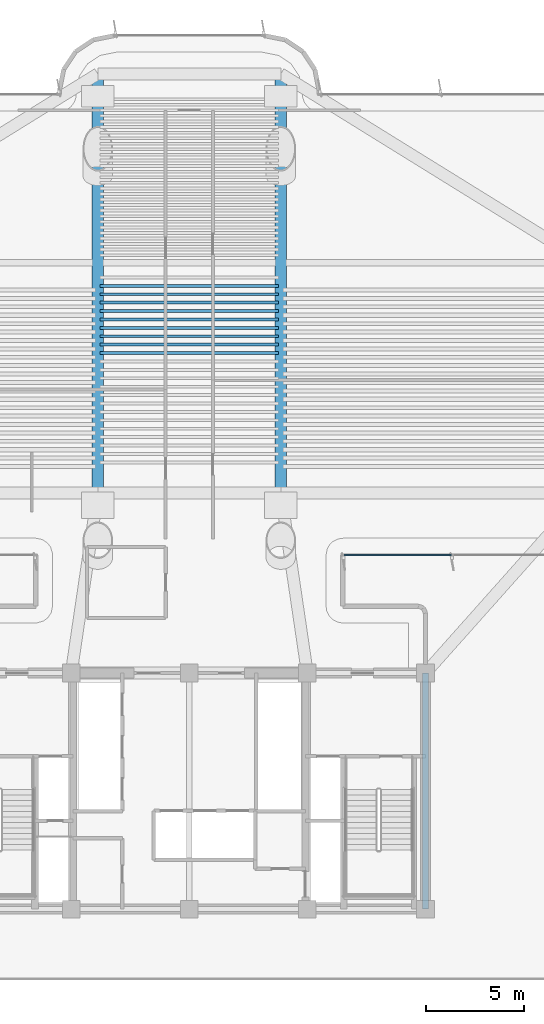
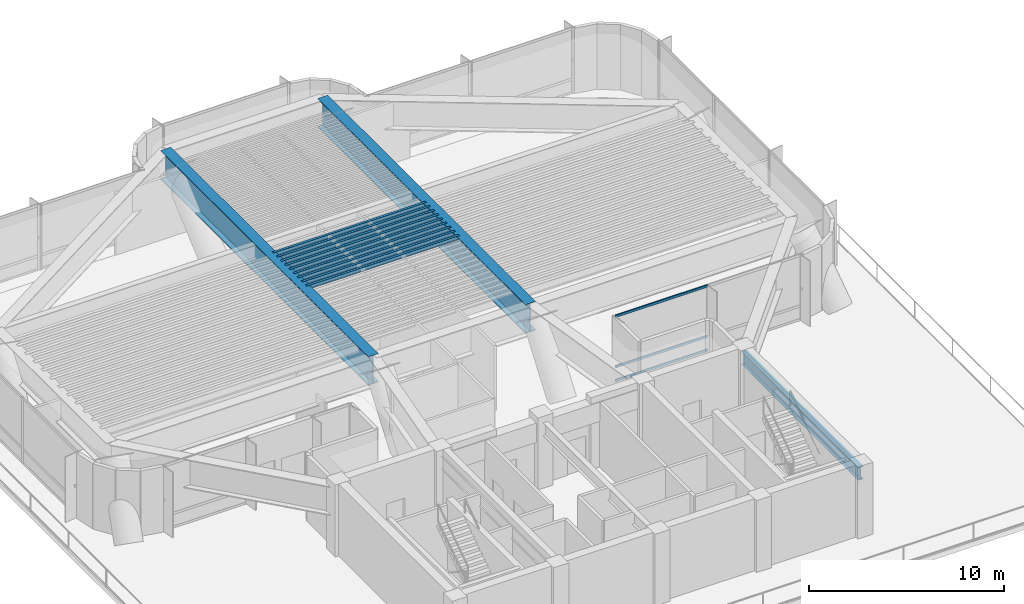
# One storey, part 3 of 14: 12 beams, 3 members, 1 element without a shape of its own.
"""IFC4 building model written with IfcOpenShell, lengths in metres."""

import ifcopenshell
import ifcopenshell.guid

model = None  # the IFC model being written
_history = None  # IfcOwnerHistory: only IFC2X3 demands one
_inside = {}  # id of a spatial element -> (the spatial element, [elements in it])
_under = {}  # id of a project, library or spatial element -> (it, [spatial elements below it])
_declared = {}  # id of a project -> (the project, [libraries it declares])
_typed = {}  # id of a type object -> (the type object, [elements of that type])
_made_of = {}  # id of a material, layer set ... -> (it, [elements and type objects made of it])


def new_model(schema):
    """Start an empty IFC model of exactly this schema.

    Asked for "IFC4X3", IfcOpenShell would pick the latest addendum, in which some entities
    have other attributes; the version numbers below select the first issue.
    IFC2X3 requires an IfcOwnerHistory on every rooted entity: one is made here for all.
    """
    global model, _history
    if schema == "IFC4X3":
        model = ifcopenshell.file(schema_version=(4, 3, 0, 0))
    else:
        model = ifcopenshell.file(schema=schema)
    _inside.clear()
    _under.clear()
    _declared.clear()
    _typed.clear()
    _made_of.clear()
    _history = None
    if model.schema == "IFC2X3":
        org = make("IfcOrganization", Name="unknown")
        user = make(
            "IfcPersonAndOrganization",
            ThePerson=make("IfcPerson", FamilyName="unknown"),
            TheOrganization=org,
        )
        app = make(
            "IfcApplication",
            ApplicationDeveloper=org,
            Version="unknown",
            ApplicationFullName="unknown",
            ApplicationIdentifier="unknown",
        )
        _history = make(
            "IfcOwnerHistory",
            OwningUser=user,
            OwningApplication=app,
            ChangeAction="ADDED",
            CreationDate=0,
        )
    return model


def make(cls, **values):
    """One entity of the class cls with the attributes given. An attribute that is None is left unset."""
    return model.create_entity(
        cls, **{name: value for name, value in values.items() if value is not None}
    )


def rooted(cls, **values):
    """An entity with a GlobalId (a new one), such as an element, a storey or a relation."""
    return make(cls, GlobalId=ifcopenshell.guid.new(), OwnerHistory=_history, **values)


def si_unit(unit_type, name, prefix=None):
    """IfcSIUnit, for example si_unit("LENGTHUNIT", "METRE", prefix="MILLI")."""
    return make("IfcSIUnit", UnitType=unit_type, Prefix=prefix, Name=name)


def assignment(units):
    """IfcUnitAssignment: the units of a project."""
    return None if units is None else make("IfcUnitAssignment", Units=units)


def point(xyz):
    """IfcCartesianPoint."""
    return None if xyz is None else make("IfcCartesianPoint", Coordinates=xyz)


def direction(xyz):
    """IfcDirection."""
    return None if xyz is None else make("IfcDirection", DirectionRatios=xyz)


def frame(location, z_axis=None, x_axis=None):
    """IfcAxis2Placement3D, a coordinate frame: its origin and axes. An axis left out is left unset."""
    return make(
        "IfcAxis2Placement3D",
        Location=point(location),
        Axis=direction(z_axis),
        RefDirection=direction(x_axis),
    )


def frame_2d(location, x_axis=None):
    """IfcAxis2Placement2D, a coordinate frame in the plane: its origin and x axis."""
    return make(
        "IfcAxis2Placement2D", Location=point(location), RefDirection=direction(x_axis)
    )


def origin():
    """The frame at (0, 0, 0) with its axes left unset."""
    return frame((0.0, 0.0, 0.0))


def origin_2d():
    """The frame at (0, 0) in the plane with its x axis left unset."""
    return frame_2d((0.0, 0.0))


def place(relative_to, where):
    """IfcLocalPlacement: puts the frame where relative to a parent placement (None: the world)."""
    return make(
        "IfcLocalPlacement", PlacementRelTo=relative_to, RelativePlacement=where
    )


def context(
    kind, dimensions, precision=None, world=None, true_north=None, identifier=None
):
    """IfcGeometricRepresentationContext, for example the 3D "Model" context."""
    return make(
        "IfcGeometricRepresentationContext",
        ContextIdentifier=identifier,
        ContextType=kind,
        CoordinateSpaceDimension=dimensions,
        Precision=precision,
        WorldCoordinateSystem=world,
        TrueNorth=true_north,
    )


def subcontext(parent, identifier, kind, view, scale=None):
    """IfcGeometricRepresentationSubContext, for example "Body" below "Model"."""
    return make(
        "IfcGeometricRepresentationSubContext",
        ContextIdentifier=identifier,
        ContextType=kind,
        ParentContext=parent,
        TargetScale=scale,
        TargetView=view,
    )


def project(units=None, contexts=None):
    """IfcProject with its units and contexts."""
    return rooted(
        "IfcProject",
        Name="project",
        RepresentationContexts=contexts,
        UnitsInContext=assignment(units),
    )


def spatial(cls, under=None, at=None, **own):
    """A site, building, storey or space (cls), placed at a placement, below another one or the project."""
    s = rooted(cls, ObjectPlacement=at, **own)
    if under is not None:
        _under.setdefault(under.id(), (under, []))[1].append(s)
    return s


def profile(cls, at=None, kind="AREA", **sizes):
    """A parametric profile (cls). Its sizes go by their IFC names, for example OverallWidth=200.0."""
    return make(cls, ProfileType=kind, Position=at, **sizes)


def rectangle(**sizes):
    """IfcRectangleProfileDef."""
    return profile("IfcRectangleProfileDef", **sizes)


def i_section(**sizes):
    """IfcIShapeProfileDef."""
    return profile("IfcIShapeProfileDef", **sizes)


def extrude(swept, where, along, depth):
    """IfcExtrudedAreaSolid: the profile swept, set in the frame where, extruded along a direction by depth."""
    return make(
        "IfcExtrudedAreaSolid",
        SweptArea=swept,
        Position=where,
        ExtrudedDirection=direction(along),
        Depth=depth,
    )


def shape(context_of_items, identifier, shape_type, items):
    """IfcShapeRepresentation: the items that make up one representation, for example the "Body"."""
    return make(
        "IfcShapeRepresentation",
        ContextOfItems=context_of_items,
        RepresentationIdentifier=identifier,
        RepresentationType=shape_type,
        Items=items,
    )


def source(mapping_origin, context_of_items, identifier, shape_type, items):
    """IfcRepresentationMap: a shape defined once, which mapped items show again and again."""
    return make(
        "IfcRepresentationMap",
        MappingOrigin=mapping_origin,
        MappedRepresentation=shape(context_of_items, identifier, shape_type, items),
    )


def transform(
    local_origin,
    x_axis=None,
    y_axis=None,
    z_axis=None,
    scale=None,
    scale2=None,
    scale3=None,
    uniform=True,
):
    """IfcCartesianTransformationOperator3D, or its non-uniform kind. x_axis, y_axis, z_axis: its Axis1, 2, 3."""
    if uniform:
        return make(
            "IfcCartesianTransformationOperator3D",
            Axis1=direction(x_axis),
            Axis2=direction(y_axis),
            LocalOrigin=point(local_origin),
            Scale=scale,
            Axis3=direction(z_axis),
        )
    return make(
        "IfcCartesianTransformationOperator3DnonUniform",
        Axis1=direction(x_axis),
        Axis2=direction(y_axis),
        LocalOrigin=point(local_origin),
        Scale=scale,
        Axis3=direction(z_axis),
        Scale2=scale2,
        Scale3=scale3,
    )


def mapped(mapping_source, mapping_target):
    """IfcMappedItem: shows the shape of a source again, moved by a transform."""
    return make(
        "IfcMappedItem", MappingSource=mapping_source, MappingTarget=mapping_target
    )


def material(Name=None, Category=None):
    """IfcMaterial."""
    return make("IfcMaterial", Name=Name, Category=Category)


def layer(
    of_material, thickness, ventilated=None, Name=None, Category=None, Priority=None
):
    """IfcMaterialLayer: one layer of a wall or slab, of a material (None: an air gap)."""
    return make(
        "IfcMaterialLayer",
        Material=of_material,
        LayerThickness=thickness,
        IsVentilated=ventilated,
        Name=Name,
        Category=Category,
        Priority=Priority,
    )


def layer_set(layers, Name=None):
    """IfcMaterialLayerSet."""
    return make("IfcMaterialLayerSet", MaterialLayers=layers, LayerSetName=Name)


def material_profile(
    of_material, cross_section, Name=None, Category=None, Priority=None
):
    """IfcMaterialProfile: a cross section and its material."""
    return make(
        "IfcMaterialProfile",
        Name=Name,
        Material=of_material,
        Profile=cross_section,
        Priority=Priority,
        Category=Category,
    )


def profile_set(profiles, Name=None, composite=None):
    """IfcMaterialProfileSet."""
    return make(
        "IfcMaterialProfileSet",
        Name=Name,
        MaterialProfiles=profiles,
        CompositeProfile=composite,
    )


def made_of(thing, what):
    """Note that an element or type object is made of a material, layer set ...; save() writes the relation."""
    if what is not None:
        _made_of.setdefault(what.id(), (what, []))[1].append(thing)
    return thing


def type_object(cls, material=None, **own):
    """A type object (cls), such as IfcWallType, which elements share."""
    return made_of(rooted(cls, **own), material)


def element(
    cls,
    number,
    at=None,
    inside=None,
    cuts=None,
    type_object=None,
    material=None,
    context=None,
    identifier="Body",
    shape_type=None,
    held_by="IfcProductDefinitionShape",
    body=None,
    shapes=None,
    **own,
):
    """One element of the class cls, such as IfcWall. Its Tag is "e" and its number.

    at: its placement. inside: the storey or other place that contains it. cuts: it is an
    opening in that element (IfcRelVoidsElement). A single representation is given by context,
    identifier, shape_type and body (its items); several are given by shapes. held_by: the class
    of the entity that holds the representations. save() writes the other relations.
    """
    e = rooted(cls, Tag="e%d" % number, ObjectPlacement=at, **own)
    if body is not None:
        shapes = [shape(context, identifier, shape_type, body)]
    if shapes is not None:
        e.Representation = make(held_by, Representations=shapes)
    if inside is not None:
        _inside.setdefault(inside.id(), (inside, []))[1].append(e)
    if cuts is not None:
        rooted(
            "IfcRelVoidsElement", RelatingBuildingElement=cuts, RelatedOpeningElement=e
        )
    if type_object is not None:
        _typed.setdefault(type_object.id(), (type_object, []))[1].append(e)
    return made_of(e, material)


def aggregate(whole, parts):
    """IfcRelAggregates: a whole, such as a stair, and the parts it consists of."""
    return rooted("IfcRelAggregates", RelatingObject=whole, RelatedObjects=parts)


def save(model, path):
    """Write the relations noted so far, then the file.

    IfcRelAggregates (storeys below a building ...), IfcRelContainedInSpatialStructure (elements
    in a storey), IfcRelDefinesByType, IfcRelAssociatesMaterial and IfcRelDeclares: one each for
    every whole, place, type object, material and project.
    """
    for whole, parts in _under.values():
        aggregate(whole, parts)
    for where, things in _inside.values():
        rooted(
            "IfcRelContainedInSpatialStructure",
            RelatedElements=things,
            RelatingStructure=where,
        )
    for kind, things in _typed.values():
        rooted("IfcRelDefinesByType", RelatedObjects=things, RelatingType=kind)
    for what, things in _made_of.values():
        rooted("IfcRelAssociatesMaterial", RelatedObjects=things, RelatingMaterial=what)
    for by, libraries in _declared.values():
        rooted("IfcRelDeclares", RelatingContext=by, RelatedDefinitions=libraries)
    model.write(path)


model = new_model("IFC4")

# Units and contexts
model_context = context("Model", 3, precision=1e-05, world=origin(), true_north=direction((0.0, 1.0)))
body_context = subcontext(model_context, "Body", "Model", "MODEL_VIEW")
ifc_project = project(units=[si_unit("LENGTHUNIT", "METRE"), si_unit("AREAUNIT", "SQUARE_METRE"), si_unit("VOLUMEUNIT", "CUBIC_METRE"), si_unit("PLANEANGLEUNIT", "RADIAN"), si_unit("MASSUNIT", "GRAM", prefix="KILO")], contexts=[model_context])

# Site, building, storey
site_placement = place(None, origin())
site = spatial("IfcSite", under=ifc_project, at=site_placement, CompositionType="ELEMENT")
building_placement = place(site_placement, origin())
building = spatial("IfcBuilding", under=site, at=building_placement, Name="Brelvock Crest Care Tower", CompositionType="ELEMENT")
storey_placement = place(building_placement, frame((0.0, 0.0, 85.320068359375)))
storey = spatial("IfcBuildingStorey", under=building, at=storey_placement, Name="L21", CompositionType="ELEMENT", Elevation=85.320068359375)

# Beams
ifc_material_1 = material(Name="Steel Grade 350", Category="steel")
ifc_material_profile_1 = material_profile(ifc_material_1, i_section(OverallWidth=0.300048828125, OverallDepth=0.800048828125, WebThickness=0.013916015625, FlangeThickness=0.02197265625, at=origin_2d()), Name="800WB192")
ifc_profile_set_1 = profile_set([ifc_material_profile_1], Name="Steel Grade 350")
beam_type_1 = type_object("IfcBeamType", Name="BM-G5", PredefinedType="BEAM", material=ifc_profile_set_1)
shared_shape_1 = source(origin(), body_context, "Body", "SweptSolid", [
    extrude(i_section(OverallWidth=0.300048828125, OverallDepth=0.800048828125, WebThickness=0.013916015625, FlangeThickness=0.02197265625, at=origin_2d()), origin(), (0.0, 0.0, 1.0), 12.0),
])
beam_placement = place(storey_placement, frame((48.0, 6.0, 3.69189453125), z_axis=(0.0, 1.0, 0.0), x_axis=(-1.0, 0.0, 0.0)))
element("IfcBeam", 1, at=beam_placement, inside=storey, type_object=beam_type_1, Name="BM-COREX-L21-5", PredefinedType="BEAM", context=body_context, shape_type="MappedRepresentation", body=[
    mapped(shared_shape_1, transform((0.0, 0.0, 0.0), x_axis=(1.0, 0.0, 0.0), y_axis=(0.0, 1.0, 0.0), z_axis=(0.0, 0.0, 1.0), scale=1.0)),
])
ifc_material_profile_2 = material_profile(ifc_material_1, i_section(OverallWidth=0.14599609375, OverallDepth=0.256103515625, WebThickness=0.00634765625, FlangeThickness=0.010986328125, FilletRadius=0.0087890625, at=origin_2d()), Name="250UB37.3")
ifc_profile_set_2 = profile_set([ifc_material_profile_2], Name="Steel Grade 350")
beam_type_2 = type_object("IfcBeamType", Name="BM-J3", PredefinedType="JOIST", material=ifc_profile_set_2)
shared_shape_2 = source(origin(), body_context, "Body", "SweptSolid", [
    extrude(i_section(OverallWidth=0.14599609375, OverallDepth=0.256103515625, WebThickness=0.00634765625, FlangeThickness=0.010986328125, FilletRadius=0.0087890625, at=origin_2d()), origin(), (0.0, 0.0, 1.0), 9.06982421875),
])
for number, where, z_axis, x_axis, name in (
    (2, (31.465087890625, 34.2607421875, 3.9638671875), (1.0, 0.0, 0.0), (0.0, 1.0, 0.0), "BM-JH-L21-16"),
    (3, (31.465087890625, 34.687744140625, 3.9638671875), (1.0, 0.0, 0.0), (0.0, 1.0, 0.0), "BM-JH-L21-17"),
    (4, (31.465087890625, 35.11474609375, 3.9638671875), (1.0, 0.0, 0.0), (0.0, 1.0, 0.0), "BM-JH-L21-18"),
    (5, (31.465087890625, 35.541748046875, 3.9638671875), (1.0, 0.0, 0.0), (0.0, 1.0, 0.0), "BM-JH-L21-19"),
    (6, (31.465087890625, 35.96875, 3.9638671875), (1.0, 0.0, 0.0), (0.0, 1.0, 0.0), "BM-JH-L21-20"),
    (7, (31.465087890625, 36.39599609375, 3.9638671875), (1.0, 0.0, 0.0), (0.0, 1.0, 0.0), "BM-JH-L21-21"),
    (8, (31.465087890625, 36.822998046875, 3.9638671875), (1.0, 0.0, 0.0), (0.0, 1.0, 0.0), "BM-JH-L21-22"),
    (9, (31.465087890625, 37.25, 3.9638671875), (1.0, 0.0, 0.0), (0.0, 1.0, 0.0), "BM-JH-L21-23"),
    (10, (31.465087890625, 37.677001953125, 3.9638671875), (1.0, 0.0, 0.0), (0.0, 1.0, 0.0), "BM-JH-L21-24"),
):
    element("IfcBeam", number, at=place(storey_placement, frame(where, z_axis=z_axis, x_axis=x_axis)), inside=storey, type_object=beam_type_2, Name=name, PredefinedType="JOIST", context=body_context, shape_type="MappedRepresentation", body=[
        mapped(shared_shape_2, transform((0.0, 0.0, 0.0), x_axis=(1.0, 0.0, 0.0), y_axis=(0.0, 1.0, 0.0), z_axis=(0.0, 0.0, 1.0), scale=1.0)),
    ])
ifc_material_profile_3 = material_profile(ifc_material_1, i_section(OverallWidth=0.60009765625, OverallDepth=1.800048828125, WebThickness=0.028076171875, FlangeThickness=0.052001953125, at=origin_2d()), Name="1800TG740")
ifc_profile_set_3 = profile_set([ifc_material_profile_3], Name="Steel Grade 350")
beam_type_3 = type_object("IfcBeamType", Name="BM-TG1", PredefinedType="USERDEFINED", material=ifc_profile_set_3)
shared_shape_3 = source(origin(), body_context, "Body", "SweptSolid", [
    extrude(i_section(OverallWidth=0.60009765625, OverallDepth=1.800048828125, WebThickness=0.028076171875, FlangeThickness=0.052001953125, at=origin_2d()), origin(), (0.0, 0.0, 1.0), 21.300048828125),
])
for number, where, z_axis, x_axis, name in (
    (11, (31.35009765625, 27.14990234375, 3.19189453125), (0.0, 1.0, 0.0), (-1.0, 0.0, 0.0), "BM-TWR-L21-09"),
    (12, (40.64990234375, 27.14990234375, 3.19189453125), (0.0, 1.0, 0.0), (-1.0, 0.0, 0.0), "BM-TWR-L21-10"),
):
    element("IfcBeam", number, at=place(storey_placement, frame(where, z_axis=z_axis, x_axis=x_axis)), inside=storey, type_object=beam_type_3, Name=name, ObjectType="GIRDER", PredefinedType="USERDEFINED", context=body_context, shape_type="MappedRepresentation", body=[
        mapped(shared_shape_3, transform((0.0, 0.0, 0.0), x_axis=(1.0, 0.0, 0.0), y_axis=(0.0, 1.0, 0.0), z_axis=(0.0, 0.0, 1.0), scale=1.0)),
    ])

# Curtain wall, members
ifc_material_2 = material(Name="Dark Glass Double Glazed Low-E", Category="glass")
ifc_layer = layer(ifc_material_2, 0.2548828125, Name="CWS-6")
ifc_layer_set = layer_set([ifc_layer], Name="Dark Glass Double Glazed Low-E")
curtain_wall_type = type_object("IfcCurtainWallType", Name="CWS-6", PredefinedType="NOTDEFINED", material=ifc_layer_set)
curtain_wall_placement = place(storey_placement, origin())
curtain_wall = element("IfcCurtainWall", 13, at=curtain_wall_placement, inside=storey, type_object=curtain_wall_type, Name="L21 Curtain Wall E44", PredefinedType="NOTDEFINED")
ifc_material_3 = material(Name="Aluminium 6063-T6", Category="aluminium")
ifc_material_profile_4 = material_profile(ifc_material_3, rectangle(XDim=0.06494140625, YDim=0.14990234375, at=origin_2d()), Name="ALU65x150")
ifc_profile_set_4 = profile_set([ifc_material_profile_4], Name="Aluminium 6063-T6")
member_type = type_object("IfcMemberType", Name="CWT-1", PredefinedType="USERDEFINED", material=ifc_profile_set_4)
shared_shape_4 = source(origin(), body_context, "Body", "SweptSolid", [
    extrude(rectangle(XDim=0.06494140625, YDim=0.14990234375, at=origin_2d()), origin(), (0.0, 0.0, 1.0), 5.452392578125),
])
member_1_placement = place(storey_placement, frame((49.3173828125, 24.0, 0.032470703125), z_axis=(-1.0, 0.0, 0.0), x_axis=(0.0, -1.0, 0.0)))
member_1 = element("IfcMember", 14, at=member_1_placement, type_object=member_type, Name="CW-6 transom 2.1", ObjectType="TRANSOM", PredefinedType="USERDEFINED", context=body_context, shape_type="MappedRepresentation", body=[
    mapped(shared_shape_4, transform((0.0, 0.0, 0.0), x_axis=(1.0, 0.0, 0.0), y_axis=(0.0, 1.0, 0.0), z_axis=(0.0, 0.0, 1.0), scale=1.0)),
])
member_2_placement = place(storey_placement, frame((49.3173828125, 24.0, 0.89990234375), z_axis=(-1.0, 0.0, 0.0), x_axis=(0.0, -1.0, 0.0)))
member_2 = element("IfcMember", 15, at=member_2_placement, type_object=member_type, Name="CW-6 transom 2.2", ObjectType="TRANSOM", PredefinedType="USERDEFINED", context=body_context, shape_type="MappedRepresentation", body=[
    mapped(shared_shape_4, transform((0.0, 0.0, 0.0), x_axis=(1.0, 0.0, 0.0), y_axis=(0.0, 1.0, 0.0), z_axis=(0.0, 0.0, 1.0), scale=1.0)),
])
member_3_placement = place(storey_placement, frame((49.3173828125, 24.0, 4.059326171875), z_axis=(-1.0, 0.0, 0.0), x_axis=(0.0, -1.0, 0.0)))
member_3 = element("IfcMember", 16, at=member_3_placement, type_object=member_type, Name="CW-6 transom 2.3", ObjectType="TRANSOM", PredefinedType="USERDEFINED", context=body_context, shape_type="MappedRepresentation", body=[
    mapped(shared_shape_4, transform((0.0, 0.0, 0.0), x_axis=(1.0, 0.0, 0.0), y_axis=(0.0, 1.0, 0.0), z_axis=(0.0, 0.0, 1.0), scale=1.0)),
])
aggregate(curtain_wall, [member_1, member_2, member_3])

save(model, "model.ifc")
